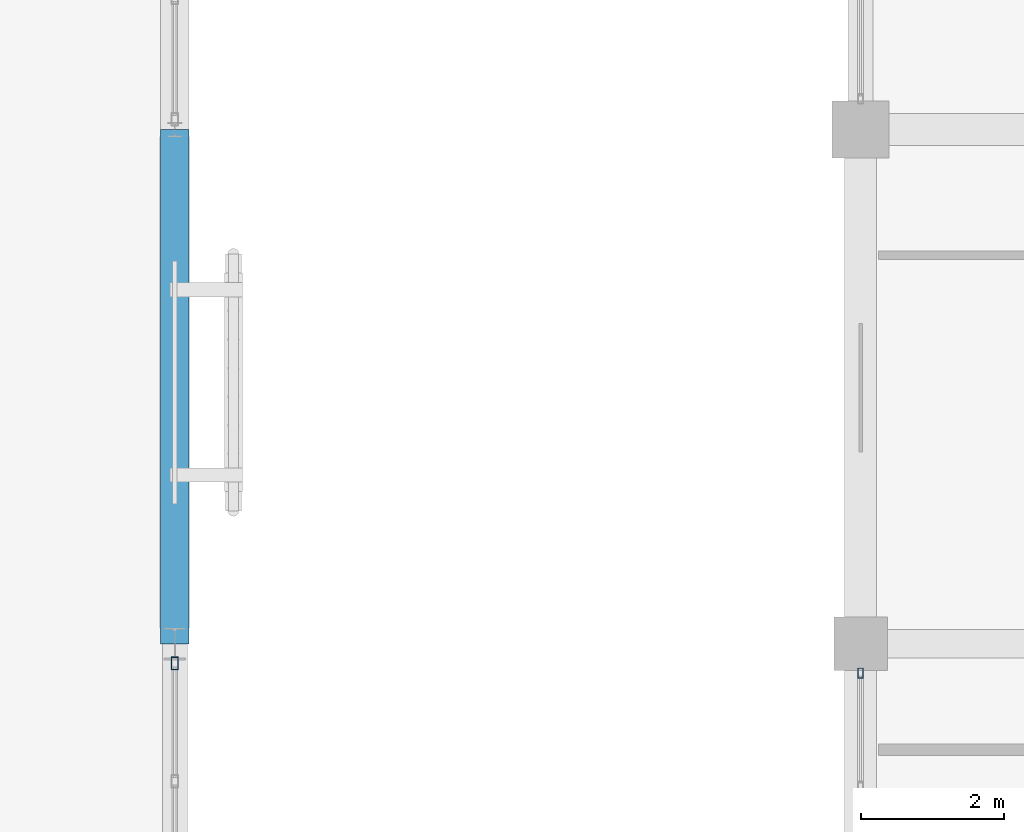
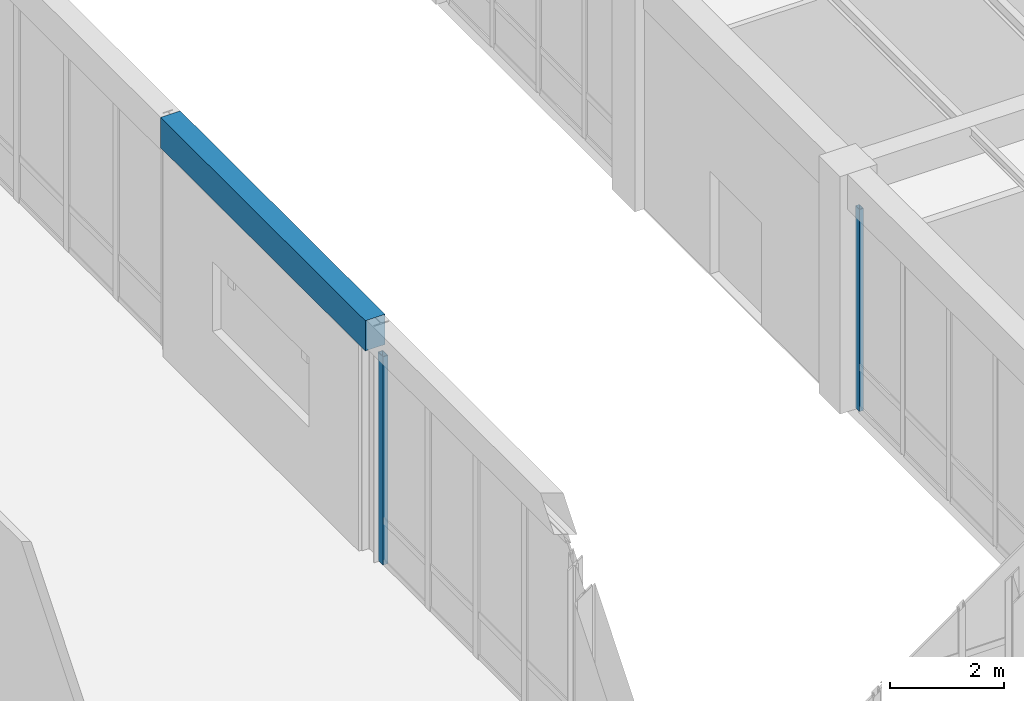
# One storey, part 82 of 169: 2 members, 1 beam, 2 elements without a shape of their own.
"""IFC4 building model written with IfcOpenShell, lengths in metres."""

from ifc_helpers import new_model, si_unit, direction, frame, origin, origin_2d, place, context, subcontext, project, spatial, rectangle, hollow_rectangle, extrude, material, layer, layer_set, material_profile, profile_set, type_object, element, aggregate, save


model = new_model("IFC4")

# Units and contexts
model_context = context("Model", 3, precision=1e-05, world=origin(), true_north=direction((0.0, 1.0)))
body_context = subcontext(model_context, "Body", "Model", "MODEL_VIEW")
ifc_project = project(units=[si_unit("LENGTHUNIT", "METRE"), si_unit("AREAUNIT", "SQUARE_METRE"), si_unit("VOLUMEUNIT", "CUBIC_METRE"), si_unit("PLANEANGLEUNIT", "RADIAN"), si_unit("MASSUNIT", "GRAM", prefix="KILO")], contexts=[model_context])

# Site, building, storey
site_placement = place(None, origin())
site = spatial("IfcSite", under=ifc_project, at=site_placement, CompositionType="ELEMENT")
building_placement = place(site_placement, origin())
building = spatial("IfcBuilding", under=site, at=building_placement, Name="Mazaris Harbour Polytechnic", CompositionType="ELEMENT")
storey_placement = place(building_placement, origin())
storey = spatial("IfcBuildingStorey", under=building, at=storey_placement, Name="L00", CompositionType="ELEMENT", Elevation=0.0)

# Curtain wall, member
ifc_material_1 = material(Name="Anodised Bronze Aluminium and Low-E Glass", Category="aluminium")
ifc_layer_1 = layer(ifc_material_1, 0.14990234375, Name="Anodised Bronze Aluminium and Low-E Glass")
ifc_layer_set_1 = layer_set([ifc_layer_1], Name="Anodised Bronze Aluminium and Low-E Glass")
curtain_wall_type_1 = type_object("IfcCurtainWallType", Name="Workshop Clerestory Curtain Wall", PredefinedType="NOTDEFINED", material=ifc_layer_set_1)
curtain_wall_1_placement = place(storey_placement, origin())
curtain_wall_1 = element("IfcCurtainWall", 1, at=curtain_wall_1_placement, inside=storey, type_object=curtain_wall_type_1, Name="V1 L00 Curtain Wall 10", PredefinedType="NOTDEFINED")
ifc_material_2 = material(Name="Anodised Bronze Steel S355", Category="steel")
ifc_material_profile_1 = material_profile(ifc_material_2, hollow_rectangle(XDim=0.10009765625, YDim=0.179931640625, WallThickness=0.008056640625, at=origin_2d()), Name="RHS 100x180x8.0")
ifc_profile_set_1 = profile_set([ifc_material_profile_1], Name="Anodised Bronze Steel S355")
member_type_1 = type_object("IfcMemberType", Name="Curtain Mullion RHS100x180", PredefinedType="MULLION", material=ifc_profile_set_1)
member_1_placement = place(storey_placement, frame((112.800048828125, 93.327880859375, 0.0), z_axis=(0.0, 0.0, 1.0), x_axis=(1.0, 0.0, 0.0)))
member_1 = element("IfcMember", 2, at=member_1_placement, type_object=member_type_1, Name="CW-04 mullion 1", PredefinedType="MULLION", context=body_context, shape_type="SweptSolid", body=[
    extrude(hollow_rectangle(XDim=0.10009765625, YDim=0.179931640625, WallThickness=0.008056640625, at=origin_2d()), origin(), (0.0, 0.0, 1.0), 4.469970703125),
])
aggregate(curtain_wall_1, [member_1])

ifc_material_3 = material(Name="Anodised Bronze Aluminium and Low-E Glass", Category="aluminium")
ifc_layer_2 = layer(ifc_material_3, 0.169921875, Name="Anodised Bronze Aluminium and Low-E Glass")
ifc_layer_set_2 = layer_set([ifc_layer_2], Name="Anodised Bronze Aluminium and Low-E Glass")
curtain_wall_type_2 = type_object("IfcCurtainWallType", Name="Studio North-Light Curtain Wall", PredefinedType="NOTDEFINED", material=ifc_layer_set_2)
curtain_wall_2_placement = place(storey_placement, origin())
curtain_wall_2 = element("IfcCurtainWall", 3, at=curtain_wall_2_placement, inside=storey, type_object=curtain_wall_type_2, Name="V5 L00 Curtain Wall 189", PredefinedType="NOTDEFINED")
ifc_material_4 = material(Name="Anodised Bronze Steel S355", Category="steel")
ifc_material_profile_2 = material_profile(ifc_material_4, hollow_rectangle(XDim=0.080078125, YDim=0.139892578125, WallThickness=0.00634765625, at=origin_2d()), Name="RHS 80x140x6.3")
ifc_profile_set_2 = profile_set([ifc_material_profile_2], Name="Anodised Bronze Steel S355")
member_type_2 = type_object("IfcMemberType", Name="Curtain Mullion RHS80x140", PredefinedType="MULLION", material=ifc_profile_set_2)
member_2_placement = place(storey_placement, frame((122.39990234375, 93.193115234375, 0.0), z_axis=(0.0, 0.0, 1.0), x_axis=(-1.0, 0.0, 0.0)))
member_2 = element("IfcMember", 4, at=member_2_placement, type_object=member_type_2, Name="CW-03 mullion 5", PredefinedType="MULLION", context=body_context, shape_type="SweptSolid", body=[
    extrude(hollow_rectangle(XDim=0.080078125, YDim=0.139892578125, WallThickness=0.00634765625, at=origin_2d()), origin(), (0.0, 0.0, 1.0), 4.340087890625),
])
aggregate(curtain_wall_2, [member_2])

# Beam
ifc_material_5 = material(Name="Concrete C35/45", Category="concrete")
ifc_material_profile_3 = material_profile(ifc_material_5, rectangle(XDim=0.39990234375, YDim=0.64990234375, at=origin_2d()), Name="RECT400x650")
ifc_profile_set_3 = profile_set([ifc_material_profile_3], Name="Concrete C35/45")
beam_type = type_object("IfcBeamType", Name="RC Girder 400x650 Exterior", PredefinedType="BEAM", material=ifc_profile_set_3)
beam_placement = place(storey_placement, frame((112.800048828125, 93.60009765625, 4.7548828125), z_axis=(0.0, 1.0, 0.0), x_axis=(-1.0, 0.0, 0.0)))
element("IfcBeam", 5, at=beam_placement, inside=storey, type_object=beam_type, Name="V1 L00 Tie Girder 221", PredefinedType="BEAM", context=body_context, shape_type="SweptSolid", body=[
    extrude(rectangle(XDim=0.39990234375, YDim=0.64990234375, at=origin_2d()), origin(), (0.0, 0.0, 1.0), 7.199951171875),
])

save(model, "model.ifc")
